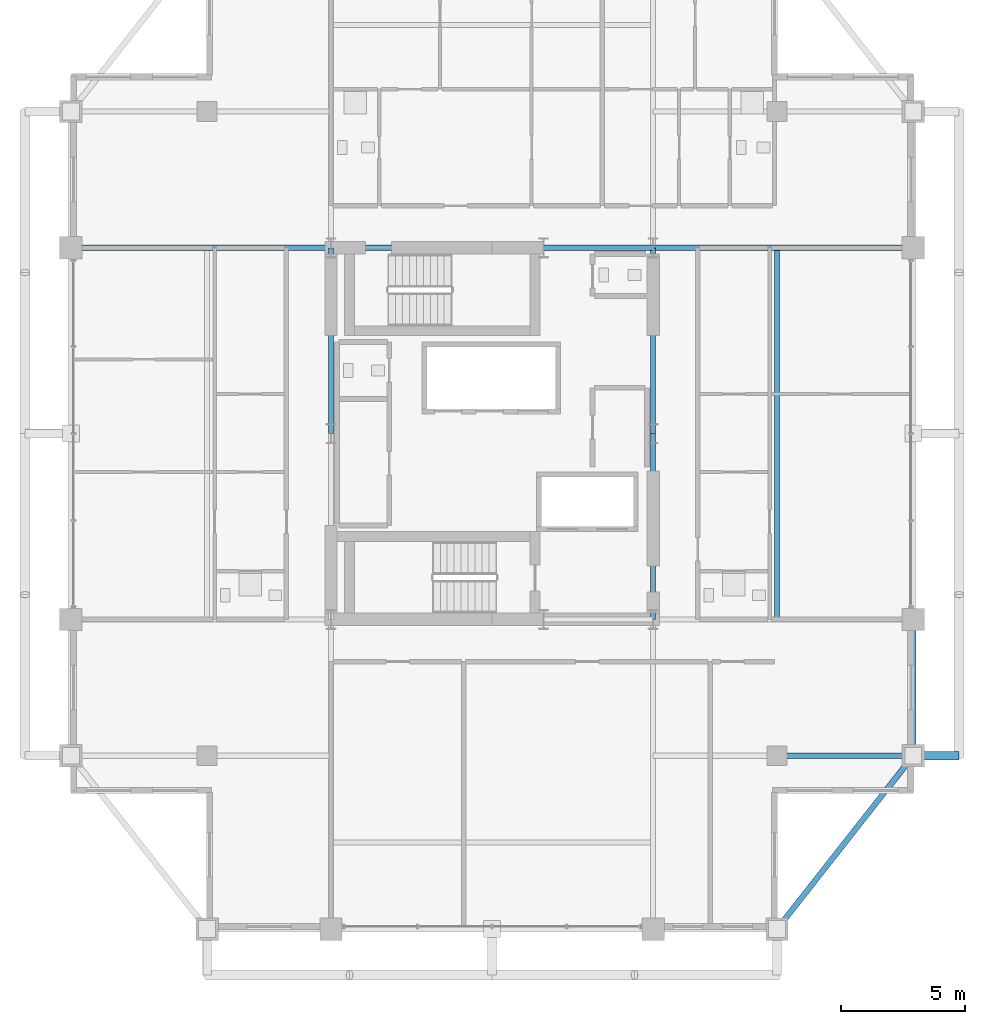
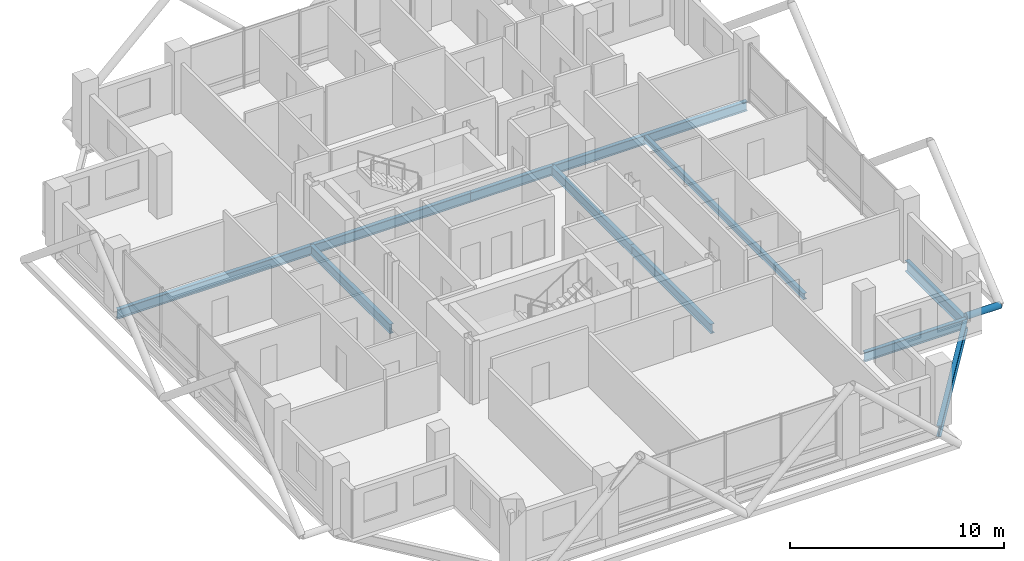
# One storey, part 11 of 24: 11 beams, 1 member.
"""IFC4 building model written with IfcOpenShell, lengths in metres."""

from ifc_helpers import new_model, si_unit, direction, frame, origin, origin_2d, place, context, subcontext, project, spatial, hollow_circle, i_section, extrude, material, material_profile, profile_set, type_object, element, save


model = new_model("IFC4")

# Units and contexts
model_context = context("Model", 3, precision=1e-05, world=origin(), true_north=direction((0.0, 1.0)))
body_context = subcontext(model_context, "Body", "Model", "MODEL_VIEW")
ifc_project = project(units=[si_unit("LENGTHUNIT", "METRE"), si_unit("AREAUNIT", "SQUARE_METRE"), si_unit("VOLUMEUNIT", "CUBIC_METRE"), si_unit("PLANEANGLEUNIT", "RADIAN"), si_unit("MASSUNIT", "GRAM", prefix="KILO")], contexts=[model_context])

# Site, building, storey
site_placement = place(None, origin())
site = spatial("IfcSite", under=ifc_project, at=site_placement, CompositionType="ELEMENT")
building_placement = place(site_placement, origin())
building = spatial("IfcBuilding", under=site, at=building_placement, Name="Barlavira Tower and Art Museum", CompositionType="ELEMENT")
storey_placement = place(building_placement, frame((0.0, 0.0, 251.10009765625)))
storey = spatial("IfcBuildingStorey", under=building, at=storey_placement, Name="L65", CompositionType="ELEMENT", Elevation=251.10009765625)

# Member
ifc_material = material(Name="Steel S355", Category="steel")
ifc_material_profile_1 = material_profile(ifc_material, hollow_circle(Radius=0.177734375, WallThickness=0.01611328125, at=origin_2d()), Name="CHS 355.6x16.0")
ifc_profile_set_1 = profile_set([ifc_material_profile_1], Name="Steel S355")
member_type = type_object("IfcMemberType", Name="Pale-Metal Exoskeleton Tie Strut CHS 356x16 Steel S355", PredefinedType="STRUT", material=ifc_profile_set_1)
member_placement = place(storey_placement, frame((18.85009765625, -13.0, -0.1201171875), z_axis=(-1.0, 0.0, 0.0), x_axis=(0.0, -1.0, 0.0)))
element("IfcMember", 1, at=member_placement, inside=storey, type_object=member_type, Name="L65 Exoskeleton Tie Strut E1", PredefinedType="STRUT", context=body_context, shape_type="SweptSolid", body=[
    extrude(hollow_circle(Radius=0.177734375, WallThickness=0.01611328125, at=origin_2d()), origin(), (0.0, 0.0, 1.0), 1.85009765625),
])

# Beams
ifc_material_profile_2 = material_profile(ifc_material, i_section(OverallWidth=0.22998046875, OverallDepth=0.616943359375, WebThickness=0.01318359375, FlangeThickness=0.022216796875, at=origin_2d()), Name="W610x140.0")
ifc_profile_set_2 = profile_set([ifc_material_profile_2], Name="Steel S355")
beam_type_1 = type_object("IfcBeamType", Name="Upper Shaft Spandrel Edge Beam W610x140 Steel S355", PredefinedType="SPANDREL", material=ifc_profile_set_2)
beam_1_placement = place(storey_placement, frame((11.5, -20.0, -0.528564453125), z_axis=(0.617821551932, 0.786318338822, 0.0), x_axis=(-0.786318338822, 0.617821551932, 0.0)))
element("IfcBeam", 2, at=beam_1_placement, inside=storey, type_object=beam_type_1, Name="L65 Spandrel 4", PredefinedType="SPANDREL", context=body_context, shape_type="SweptSolid", body=[
    extrude(i_section(OverallWidth=0.22998046875, OverallDepth=0.616943359375, WebThickness=0.01318359375, FlangeThickness=0.022216796875, at=origin_2d()), origin(), (0.0, 0.0, 1.0), 8.90234375),
])
beam_2_placement = place(storey_placement, frame((17.0, -13.0, -0.528564453125), z_axis=(0.0, 1.0, 0.0), x_axis=(-1.0, 0.0, 0.0)))
element("IfcBeam", 3, at=beam_2_placement, inside=storey, type_object=beam_type_1, Name="L65 Spandrel 5", PredefinedType="SPANDREL", context=body_context, shape_type="SweptSolid", body=[
    extrude(i_section(OverallWidth=0.22998046875, OverallDepth=0.616943359375, WebThickness=0.01318359375, FlangeThickness=0.022216796875, at=origin_2d()), origin(), (0.0, 0.0, 1.0), 5.5),
])
ifc_material_profile_3 = material_profile(ifc_material, i_section(OverallWidth=0.2109375, OverallDepth=0.5390625, WebThickness=0.01171875, FlangeThickness=0.018798828125, at=origin_2d()), Name="W530x109.0")
ifc_profile_set_3 = profile_set([ifc_material_profile_3], Name="Steel S355")
beam_type_2 = type_object("IfcBeamType", Name="Zone 3-4 Primary Floor Girder W530x109 Steel S355", PredefinedType="BEAM", material=ifc_profile_set_3)
beam_3_placement = place(storey_placement, frame((-6.5, 7.5, -0.489501953125), z_axis=(1.0, 0.0, 0.0), x_axis=(0.0, 1.0, 0.0)))
element("IfcBeam", 4, at=beam_3_placement, inside=storey, type_object=beam_type_2, Name="L65 Girder C-N1", PredefinedType="BEAM", context=body_context, shape_type="SweptSolid", body=[
    extrude(i_section(OverallWidth=0.2109375, OverallDepth=0.5390625, WebThickness=0.01171875, FlangeThickness=0.018798828125, at=origin_2d()), origin(), (0.0, 0.0, 1.0), 8.580078125),
])
beam_4_placement = place(storey_placement, frame((2.080078125, 7.5, -0.489501953125), z_axis=(1.0, 0.0, 0.0), x_axis=(0.0, 1.0, 0.0)))
element("IfcBeam", 5, at=beam_4_placement, inside=storey, type_object=beam_type_2, Name="L65 Girder C-N2", PredefinedType="BEAM", context=body_context, shape_type="SweptSolid", body=[
    extrude(i_section(OverallWidth=0.2109375, OverallDepth=0.5390625, WebThickness=0.01171875, FlangeThickness=0.018798828125, at=origin_2d()), origin(), (0.0, 0.0, 1.0), 4.419921875),
])
for number, where, z_axis, x_axis, name in (
    (6, (-6.5, 0.0, -0.489501953125), (0.0, 1.0, 0.0), (-1.0, 0.0, 0.0), "L65 Girder C-W2"),
    (7, (6.5, -7.5, -0.489501953125), (0.0, 1.0, 0.0), (-1.0, 0.0, 0.0), "L65 Girder C-E1"),
    (8, (6.5, 0.0, -0.489501953125), (0.0, 1.0, 0.0), (-1.0, 0.0, 0.0), "L65 Girder C-E2"),
):
    element("IfcBeam", number, at=place(storey_placement, frame(where, z_axis=z_axis, x_axis=x_axis)), inside=storey, type_object=beam_type_2, Name=name, PredefinedType="BEAM", context=body_context, shape_type="SweptSolid", body=[
        extrude(i_section(OverallWidth=0.2109375, OverallDepth=0.5390625, WebThickness=0.01171875, FlangeThickness=0.018798828125, at=origin_2d()), origin(), (0.0, 0.0, 1.0), 7.5),
    ])
for number, where, z_axis, x_axis, name in (
    (9, (-17.0, 7.5, -0.489501953125), (1.0, 0.0, 0.0), (0.0, 1.0, 0.0), "L65 Girder R-W2"),
    (10, (6.5, 7.5, -0.489501953125), (1.0, 0.0, 0.0), (0.0, 1.0, 0.0), "L65 Girder R-E2"),
):
    element("IfcBeam", number, at=place(storey_placement, frame(where, z_axis=z_axis, x_axis=x_axis)), inside=storey, type_object=beam_type_2, Name=name, PredefinedType="BEAM", context=body_context, shape_type="SweptSolid", body=[
        extrude(i_section(OverallWidth=0.2109375, OverallDepth=0.5390625, WebThickness=0.01171875, FlangeThickness=0.018798828125, at=origin_2d()), origin(), (0.0, 0.0, 1.0), 10.5),
    ])
beam_5_placement = place(storey_placement, frame((11.5, -13.0, -0.489501953125), z_axis=(1.0, 0.0, 0.0), x_axis=(0.0, 1.0, 0.0)))
element("IfcBeam", 11, at=beam_5_placement, inside=storey, type_object=beam_type_2, Name="L65 Girder I-S4", PredefinedType="BEAM", context=body_context, shape_type="SweptSolid", body=[
    extrude(i_section(OverallWidth=0.2109375, OverallDepth=0.5390625, WebThickness=0.01171875, FlangeThickness=0.018798828125, at=origin_2d()), origin(), (0.0, 0.0, 1.0), 5.5),
])
ifc_material_profile_4 = material_profile(ifc_material, i_section(OverallWidth=0.202880859375, OverallDepth=0.346923828125, WebThickness=0.0078125, FlangeThickness=0.013427734375, at=origin_2d()), Name="W360x64.0")
ifc_profile_set_4 = profile_set([ifc_material_profile_4], Name="Steel S355")
beam_type_3 = type_object("IfcBeamType", Name="Zone 4 Composite Floor Joist W360x64 Steel S355", PredefinedType="JOIST", material=ifc_profile_set_4)
beam_6_placement = place(storey_placement, frame((11.5, -7.5, -0.3935546875), z_axis=(0.0, 1.0, 0.0), x_axis=(-1.0, 0.0, 0.0)))
element("IfcBeam", 12, at=beam_6_placement, inside=storey, type_object=beam_type_3, Name="L65 Joist W2", PredefinedType="JOIST", context=body_context, shape_type="SweptSolid", body=[
    extrude(i_section(OverallWidth=0.202880859375, OverallDepth=0.346923828125, WebThickness=0.0078125, FlangeThickness=0.013427734375, at=origin_2d()), origin(), (0.0, 0.0, 1.0), 15.0),
])

save(model, "model.ifc")
